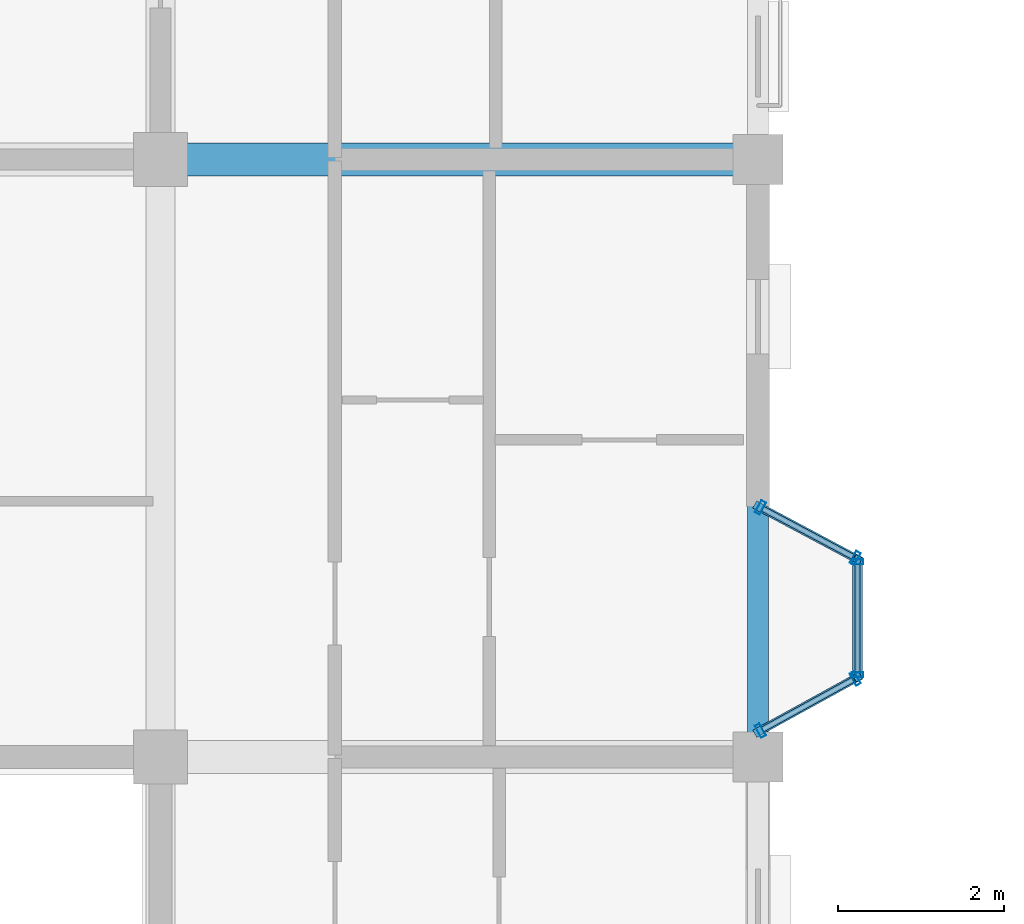
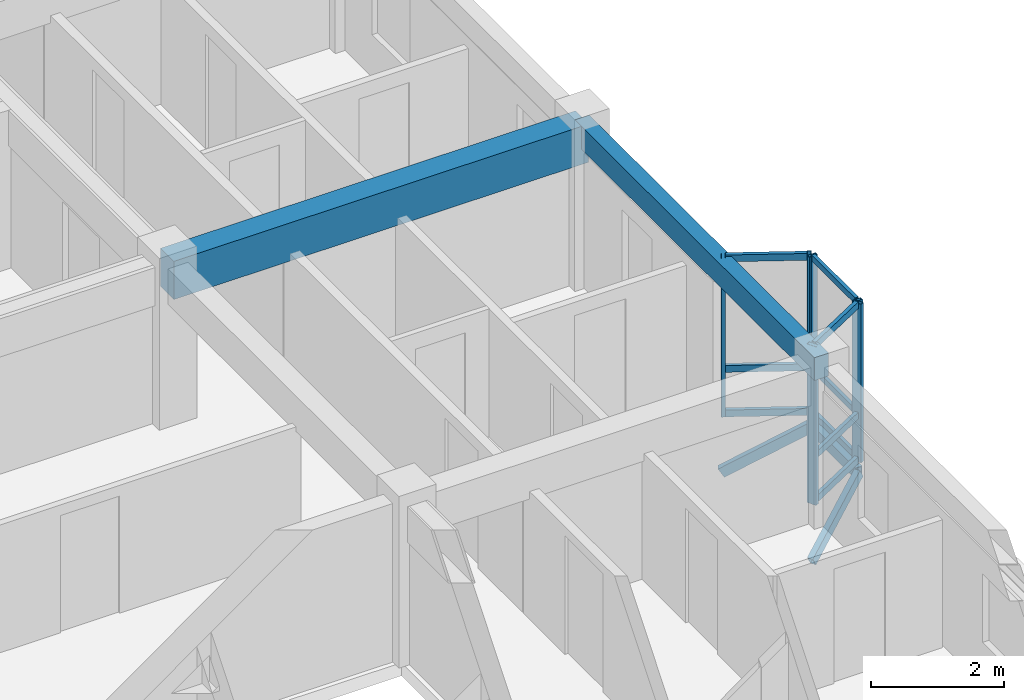
# One storey, part 31 of 124: 18 members, 2 beams, 3 elements without a shape of their own.
"""IFC4 building model written with IfcOpenShell, lengths in metres."""

from ifc_helpers import new_model, si_unit, direction, frame, origin, origin_2d, place, context, subcontext, project, spatial, rectangle, hollow_rectangle, extrude, material, layer, layer_set, material_profile, profile_set, type_object, element, aggregate, save


model = new_model("IFC4")

# Units and contexts
model_context = context("Model", 3, precision=1e-05, world=origin(), true_north=direction((0.0, 1.0)))
body_context = subcontext(model_context, "Body", "Model", "MODEL_VIEW")
ifc_project = project(units=[si_unit("LENGTHUNIT", "METRE"), si_unit("AREAUNIT", "SQUARE_METRE"), si_unit("VOLUMEUNIT", "CUBIC_METRE"), si_unit("PLANEANGLEUNIT", "RADIAN"), si_unit("MASSUNIT", "GRAM", prefix="KILO"), si_unit("THERMODYNAMICTEMPERATUREUNIT", "KELVIN"), si_unit("POWERUNIT", "WATT")], contexts=[model_context])

# Site, building, storey
site_placement = place(None, origin())
site = spatial("IfcSite", under=ifc_project, at=site_placement, CompositionType="ELEMENT")
building_placement = place(site_placement, origin())
building = spatial("IfcBuilding", under=site, at=building_placement, Name="Tavuni Mirador Residences", CompositionType="ELEMENT")
storey_placement = place(building_placement, frame((0.0, 0.0, 7.64990234375)))
storey = spatial("IfcBuildingStorey", under=building, at=storey_placement, Name="L02", CompositionType="ELEMENT", Elevation=7.64990234375)

# Beams
ifc_material_1 = material(Name="Precast concrete C40/50", Category="concrete")
ifc_material_profile_1 = material_profile(ifc_material_1, rectangle(XDim=0.39990234375, YDim=0.699951171875, at=origin_2d()), Name="PC 400x700", Category="concrete")
ifc_profile_set_1 = profile_set([ifc_material_profile_1], Name="Precast concrete C40/50")
beam_type_1 = type_object("IfcBeamType", Name="BT-B700", PredefinedType="BEAM", material=ifc_profile_set_1)
beam_1_placement = place(storey_placement, frame((18.0, 86.39990234375, 2.56005859375), z_axis=(1.0, 0.0, 0.0), x_axis=(0.0, 1.0, 0.0)))
element("IfcBeam", 1, at=beam_1_placement, inside=storey, type_object=beam_type_1, Name="BMX-BLK-B-L02-02-03", PredefinedType="BEAM", context=body_context, shape_type="SweptSolid", body=[
    extrude(rectangle(XDim=0.39990234375, YDim=0.699951171875, at=origin_2d()), origin(), (0.0, 0.0, 1.0), 7.199951171875),
])
ifc_material_profile_2 = material_profile(ifc_material_1, rectangle(XDim=0.25, YDim=0.419921875, at=origin_2d()), Name="PC 250x420", Category="concrete")
ifc_profile_set_2 = profile_set([ifc_material_profile_2], Name="Precast concrete C40/50")
beam_type_2 = type_object("IfcBeamType", Name="BT-SP420", PredefinedType="SPANDREL", material=ifc_profile_set_2)
beam_2_placement = place(storey_placement, frame((25.199951171875, 79.199951171875, 2.7001953125), z_axis=(0.0, 1.0, 0.0), x_axis=(-1.0, 0.0, 0.0)))
element("IfcBeam", 2, at=beam_2_placement, inside=storey, type_object=beam_type_2, Name="BMY-BLK-B-L02-03-02", PredefinedType="SPANDREL", context=body_context, shape_type="SweptSolid", body=[
    extrude(rectangle(XDim=0.25, YDim=0.419921875, at=origin_2d()), origin(), (0.0, 0.0, 1.0), 7.199951171875),
])

# Curtain wall, members
ifc_material_2 = material(Name="Anodised aluminium", Category="aluminium")
ifc_layer_1 = layer(ifc_material_2, 0.1650390625, Name="Anodised aluminium", Category="aluminium")
ifc_layer_set_1 = layer_set([ifc_layer_1], Name="Anodised aluminium")
curtain_wall_type_1 = type_object("IfcCurtainWallType", Name="CWT-MIR-A", PredefinedType="NOTDEFINED", material=ifc_layer_set_1)
curtain_wall_1_placement = place(storey_placement, origin())
curtain_wall_1 = element("IfcCurtainWall", 3, at=curtain_wall_1_placement, inside=storey, type_object=curtain_wall_type_1, Name="CW-MIR-B-E2-L02-MF", PredefinedType="NOTDEFINED")
ifc_material_profile_3 = material_profile(ifc_material_2, hollow_rectangle(XDim=0.06005859375, YDim=0.139892578125, WallThickness=0.00390625, at=origin_2d()), Name="ALU 60x140x4.0", Category="aluminium")
ifc_profile_set_3 = profile_set([ifc_material_profile_3], Name="Anodised aluminium")
member_type_1 = type_object("IfcMemberType", Name="CWM-140", PredefinedType="MULLION", material=ifc_profile_set_3)
member_1_placement = place(storey_placement, frame((26.39990234375, 80.18994140625, 0.0), z_axis=(0.0, 0.0, 1.0), x_axis=(0.0, 1.0, 0.0)))
member_1 = element("IfcMember", 4, at=member_1_placement, type_object=member_type_1, Name="CW-01 mullion 1", PredefinedType="MULLION", context=body_context, shape_type="SweptSolid", body=[
    extrude(hollow_rectangle(XDim=0.06005859375, YDim=0.139892578125, WallThickness=0.00390625, at=origin_2d()), origin(), (0.0, 0.0, 1.0), 2.91015625),
])
member_2_placement = place(storey_placement, frame((26.39990234375, 81.550048828125, 0.0), z_axis=(0.0, 0.0, 1.0), x_axis=(0.0, 1.0, 0.0)))
member_2 = element("IfcMember", 5, at=member_2_placement, type_object=member_type_1, Name="CW-01 mullion 2", PredefinedType="MULLION", context=body_context, shape_type="SweptSolid", body=[
    extrude(hollow_rectangle(XDim=0.06005859375, YDim=0.139892578125, WallThickness=0.00390625, at=origin_2d()), origin(), (0.0, 0.0, 1.0), 2.91015625),
])

ifc_layer_2 = layer(ifc_material_2, 0.159912109375, Name="Anodised aluminium", Category="aluminium")
ifc_layer_set_2 = layer_set([ifc_layer_2], Name="Anodised aluminium")
curtain_wall_type_2 = type_object("IfcCurtainWallType", Name="CWT-MIR-D", PredefinedType="NOTDEFINED", material=ifc_layer_set_2)
curtain_wall_2_placement = place(storey_placement, origin())
curtain_wall_2 = element("IfcCurtainWall", 6, at=curtain_wall_2_placement, inside=storey, type_object=curtain_wall_type_2, Name="CW-MIR-B-E2-L02-M1", PredefinedType="NOTDEFINED")
ifc_material_profile_4 = material_profile(ifc_material_2, hollow_rectangle(XDim=0.06494140625, YDim=0.1650390625, WallThickness=0.00439453125, at=origin_2d()), Name="ALU 65x165x4.5", Category="aluminium")
ifc_profile_set_4 = profile_set([ifc_material_profile_4], Name="Anodised aluminium")
member_type_2 = type_object("IfcMemberType", Name="CWM-165", PredefinedType="MULLION", material=ifc_profile_set_4)
member_3_placement = place(storey_placement, frame((25.228515625, 79.515625, 0.0), z_axis=(0.0, 0.0, 1.0), x_axis=(0.876215908676, 0.481918749773, 0.0)))
member_3 = element("IfcMember", 7, at=member_3_placement, type_object=member_type_2, Name="CW-04 mullion 1", PredefinedType="MULLION", context=body_context, shape_type="SweptSolid", body=[
    extrude(hollow_rectangle(XDim=0.06494140625, YDim=0.1650390625, WallThickness=0.00439453125, at=origin_2d()), origin(), (0.0, 0.0, 1.0), 2.91015625),
])
member_4_placement = place(storey_placement, frame((26.37158203125, 80.144287109375, 0.0), z_axis=(0.0, 0.0, 1.0), x_axis=(0.876215908676, 0.481918749773, 0.0)))
member_4 = element("IfcMember", 8, at=member_4_placement, type_object=member_type_2, Name="CW-04 mullion 2", PredefinedType="MULLION", context=body_context, shape_type="SweptSolid", body=[
    extrude(hollow_rectangle(XDim=0.06494140625, YDim=0.1650390625, WallThickness=0.00439453125, at=origin_2d()), origin(), (0.0, 0.0, 1.0), 2.91015625),
])

ifc_layer_3 = layer(ifc_material_2, 0.14990234375, Name="Anodised aluminium", Category="aluminium")
ifc_layer_set_3 = layer_set([ifc_layer_3], Name="Anodised aluminium")
curtain_wall_type_3 = type_object("IfcCurtainWallType", Name="CWT-MIR-B", PredefinedType="NOTDEFINED", material=ifc_layer_set_3)
curtain_wall_3_placement = place(storey_placement, origin())
curtain_wall_3 = element("IfcCurtainWall", 9, at=curtain_wall_3_placement, inside=storey, type_object=curtain_wall_type_3, Name="CW-MIR-B-E2-L02-M2", PredefinedType="NOTDEFINED")
member_5_placement = place(storey_placement, frame((26.371337890625, 81.59521484375, 0.0), z_axis=(0.0, 0.0, 1.0), x_axis=(-0.882352941175, 0.470588235296, 0.0)))
member_5 = element("IfcMember", 10, at=member_5_placement, type_object=member_type_2, Name="CW-02 mullion 1", PredefinedType="MULLION", context=body_context, shape_type="SweptSolid", body=[
    extrude(hollow_rectangle(XDim=0.06494140625, YDim=0.1650390625, WallThickness=0.00439453125, at=origin_2d()), origin(), (0.0, 0.0, 1.0), 2.91015625),
])
member_6_placement = place(storey_placement, frame((25.228759765625, 82.20458984375, 0.0), z_axis=(0.0, 0.0, 1.0), x_axis=(-0.882352941175, 0.470588235296, 0.0)))
member_6 = element("IfcMember", 11, at=member_6_placement, type_object=member_type_2, Name="CW-02 mullion 2", PredefinedType="MULLION", context=body_context, shape_type="SweptSolid", body=[
    extrude(hollow_rectangle(XDim=0.06494140625, YDim=0.1650390625, WallThickness=0.00439453125, at=origin_2d()), origin(), (0.0, 0.0, 1.0), 2.91015625),
])

# Member
ifc_material_profile_5 = material_profile(ifc_material_2, hollow_rectangle(XDim=0.06005859375, YDim=0.110107421875, WallThickness=0.00390625, at=origin_2d()), Name="ALU 60x110x4.0", Category="aluminium")
ifc_profile_set_5 = profile_set([ifc_material_profile_5], Name="Anodised aluminium")
member_type_3 = type_object("IfcMemberType", Name="CWT-110", PredefinedType="USERDEFINED", material=ifc_profile_set_5)
member_7_placement = place(storey_placement, frame((26.39990234375, 80.219970703125, 0.030029296875), z_axis=(0.0, 1.0, 0.0), x_axis=(-1.0, 0.0, 0.0)))
member_7 = element("IfcMember", 12, at=member_7_placement, type_object=member_type_3, Name="CW-01 transom 1.1", ObjectType="TRANSOM", PredefinedType="USERDEFINED", context=body_context, shape_type="SweptSolid", body=[
    extrude(hollow_rectangle(XDim=0.06005859375, YDim=0.110107421875, WallThickness=0.00390625, at=origin_2d()), origin(), (0.0, 0.0, 1.0), 1.300048828125),
])

member_8_placement = place(storey_placement, frame((26.39990234375, 80.219970703125, 0.85009765625), z_axis=(0.0, 1.0, 0.0), x_axis=(-1.0, 0.0, 0.0)))
member_8 = element("IfcMember", 13, at=member_8_placement, type_object=member_type_3, Name="CW-01 transom 1.2", ObjectType="TRANSOM", PredefinedType="USERDEFINED", context=body_context, shape_type="SweptSolid", body=[
    extrude(hollow_rectangle(XDim=0.06005859375, YDim=0.110107421875, WallThickness=0.00390625, at=origin_2d()), origin(), (0.0, 0.0, 1.0), 1.300048828125),
])

member_9_placement = place(storey_placement, frame((26.39990234375, 80.219970703125, 2.880126953125), z_axis=(0.0, 1.0, 0.0), x_axis=(-1.0, 0.0, 0.0)))
member_9 = element("IfcMember", 14, at=member_9_placement, type_object=member_type_3, Name="CW-01 transom 1.3", ObjectType="TRANSOM", PredefinedType="USERDEFINED", context=body_context, shape_type="SweptSolid", body=[
    extrude(hollow_rectangle(XDim=0.06005859375, YDim=0.110107421875, WallThickness=0.00390625, at=origin_2d()), origin(), (0.0, 0.0, 1.0), 1.300048828125),
])

aggregate(curtain_wall_1, [member_1, member_2, member_7, member_8, member_9])

ifc_material_profile_6 = material_profile(ifc_material_2, hollow_rectangle(XDim=0.06494140625, YDim=0.125, WallThickness=0.00439453125, at=origin_2d()), Name="ALU 65x125x4.5", Category="aluminium")
ifc_profile_set_6 = profile_set([ifc_material_profile_6], Name="Anodised aluminium")
member_type_4 = type_object("IfcMemberType", Name="CWT-125", PredefinedType="USERDEFINED", material=ifc_profile_set_6)
member_10_placement = place(storey_placement, frame((25.2568359375, 79.53125, 0.03271484375), z_axis=(0.87621175048, 0.481926310053, 0.0), x_axis=(-0.481926310053, 0.87621175048, 0.0)))
member_10 = element("IfcMember", 15, at=member_10_placement, type_object=member_type_4, Name="CW-04 transom 1.1", ObjectType="TRANSOM", PredefinedType="USERDEFINED", context=body_context, shape_type="SweptSolid", body=[
    extrude(hollow_rectangle(XDim=0.06494140625, YDim=0.125, WallThickness=0.00439453125, at=origin_2d()), origin(), (0.0, 0.0, 1.0), 1.23974609375),
])

member_11_placement = place(storey_placement, frame((25.2568359375, 79.53125, 0.85009765625), z_axis=(0.87621175048, 0.481926310053, 0.0), x_axis=(-0.481926310053, 0.87621175048, 0.0)))
member_11 = element("IfcMember", 16, at=member_11_placement, type_object=member_type_4, Name="CW-04 transom 1.2", ObjectType="TRANSOM", PredefinedType="USERDEFINED", context=body_context, shape_type="SweptSolid", body=[
    extrude(hollow_rectangle(XDim=0.06494140625, YDim=0.125, WallThickness=0.00439453125, at=origin_2d()), origin(), (0.0, 0.0, 1.0), 1.23974609375),
])

member_12_placement = place(storey_placement, frame((25.2568359375, 79.53125, 2.877685546875), z_axis=(0.87621175048, 0.481926310053, 0.0), x_axis=(-0.481926310053, 0.87621175048, 0.0)))
member_12 = element("IfcMember", 17, at=member_12_placement, type_object=member_type_4, Name="CW-04 transom 1.3", ObjectType="TRANSOM", PredefinedType="USERDEFINED", context=body_context, shape_type="SweptSolid", body=[
    extrude(hollow_rectangle(XDim=0.06494140625, YDim=0.125, WallThickness=0.00439453125, at=origin_2d()), origin(), (0.0, 0.0, 1.0), 1.23974609375),
])

aggregate(curtain_wall_2, [member_3, member_4, member_10, member_11, member_12])

member_13_placement = place(storey_placement, frame((26.342529296875, 81.610595703125, 0.03271484375), z_axis=(-0.882325465843, 0.470639747922, 0.0), x_axis=(-0.470639747922, -0.882325465843, 0.0)))
member_13 = element("IfcMember", 18, at=member_13_placement, type_object=member_type_4, Name="CW-02 transom 1.1", ObjectType="TRANSOM", PredefinedType="USERDEFINED", context=body_context, shape_type="SweptSolid", body=[
    extrude(hollow_rectangle(XDim=0.06494140625, YDim=0.125, WallThickness=0.00439453125, at=origin_2d()), origin(), (0.0, 0.0, 1.0), 1.22998046875),
])

member_14_placement = place(storey_placement, frame((26.342529296875, 81.610595703125, 0.85009765625), z_axis=(-0.882325465843, 0.470639747922, 0.0), x_axis=(-0.470639747922, -0.882325465843, 0.0)))
member_14 = element("IfcMember", 19, at=member_14_placement, type_object=member_type_4, Name="CW-02 transom 1.2", ObjectType="TRANSOM", PredefinedType="USERDEFINED", context=body_context, shape_type="SweptSolid", body=[
    extrude(hollow_rectangle(XDim=0.06494140625, YDim=0.125, WallThickness=0.00439453125, at=origin_2d()), origin(), (0.0, 0.0, 1.0), 1.22998046875),
])

member_15_placement = place(storey_placement, frame((26.342529296875, 81.610595703125, 2.877685546875), z_axis=(-0.882325465843, 0.470639747922, 0.0), x_axis=(-0.470639747922, -0.882325465843, 0.0)))
member_15 = element("IfcMember", 20, at=member_15_placement, type_object=member_type_4, Name="CW-02 transom 1.3", ObjectType="TRANSOM", PredefinedType="USERDEFINED", context=body_context, shape_type="SweptSolid", body=[
    extrude(hollow_rectangle(XDim=0.06494140625, YDim=0.125, WallThickness=0.00439453125, at=origin_2d()), origin(), (0.0, 0.0, 1.0), 1.22998046875),
])

aggregate(curtain_wall_3, [member_5, member_6, member_13, member_14, member_15])

# Members
ifc_material_3 = material(Name="Structural steel S355", Category="steel")
ifc_material_profile_7 = material_profile(ifc_material_3, hollow_rectangle(XDim=0.10009765625, YDim=0.179931640625, WallThickness=0.008056640625, at=origin_2d()), Name="RHS 180x100x8.0", Category="steel")
ifc_profile_set_7 = profile_set([ifc_material_profile_7], Name="Structural steel S355")
member_type_5 = type_object("IfcMemberType", Name="MT-BR-RHS180", PredefinedType="BRACE", material=ifc_profile_set_7)
member_16_placement = place(storey_placement, frame((25.199951171875, 79.5, -1.0498046875), z_axis=(0.754229019524, 0.414787597105, 0.509008679097), x_axis=(-0.481884531043, 0.876234728108, 0.0)))
element("IfcMember", 21, at=member_16_placement, inside=storey, type_object=member_type_5, Name="MBRK-MIR-B-E2-L02-1", PredefinedType="BRACE", context=body_context, shape_type="SweptSolid", body=[
    extrude(hollow_rectangle(XDim=0.10009765625, YDim=0.179931640625, WallThickness=0.008056640625, at=origin_2d()), origin(), (0.0, 0.0, 1.0), 1.591064453125),
])
member_17_placement = place(storey_placement, frame((25.199951171875, 82.219970703125, -1.0498046875), z_axis=(0.758136069861, -0.404287820774, 0.511645441247), x_axis=(0.47054164445, 0.882377788047, 0.0)))
element("IfcMember", 22, at=member_17_placement, inside=storey, type_object=member_type_5, Name="MBRK-MIR-B-E2-L02-2", PredefinedType="BRACE", context=body_context, shape_type="SweptSolid", body=[
    extrude(hollow_rectangle(XDim=0.10009765625, YDim=0.179931640625, WallThickness=0.008056640625, at=origin_2d()), origin(), (0.0, 0.0, 1.0), 1.582763671875),
])
ifc_material_profile_8 = material_profile(ifc_material_3, hollow_rectangle(XDim=0.1201171875, YDim=0.199951171875, WallThickness=0.010009765625, at=origin_2d()), Name="RHS 200x120x10.0", Category="steel")
ifc_profile_set_8 = profile_set([ifc_material_profile_8], Name="Structural steel S355")
member_type_6 = type_object("IfcMemberType", Name="MT-ST-RHS200", PredefinedType="STRUT", material=ifc_profile_set_8)
member_18_placement = place(storey_placement, frame((26.39990234375, 80.159912109375, -0.239990234375), z_axis=(0.0, 1.0, 0.0), x_axis=(-1.0, 0.0, 0.0)))
element("IfcMember", 23, at=member_18_placement, inside=storey, type_object=member_type_6, Name="MRIM-MIR-B-E2-L02", PredefinedType="STRUT", context=body_context, shape_type="SweptSolid", body=[
    extrude(hollow_rectangle(XDim=0.1201171875, YDim=0.199951171875, WallThickness=0.010009765625, at=origin_2d()), origin(), (0.0, 0.0, 1.0), 1.420166015625),
])

save(model, "model.ifc")
